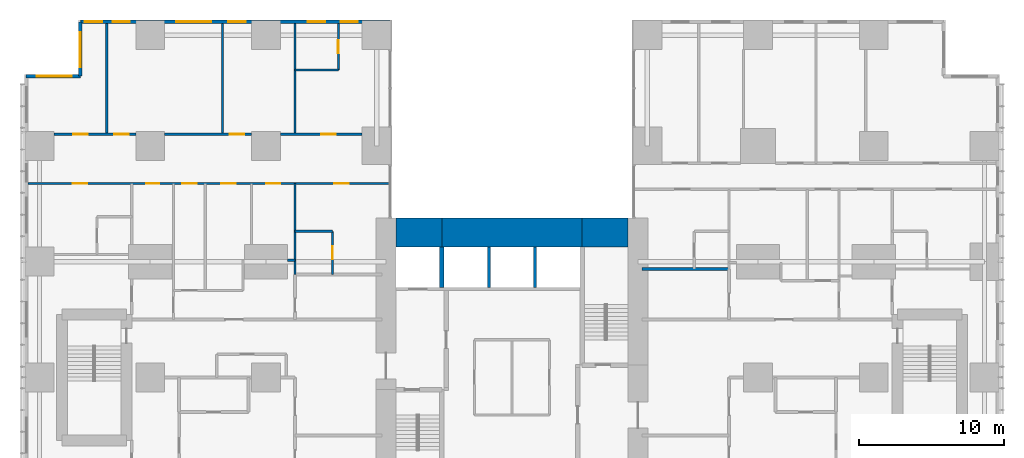
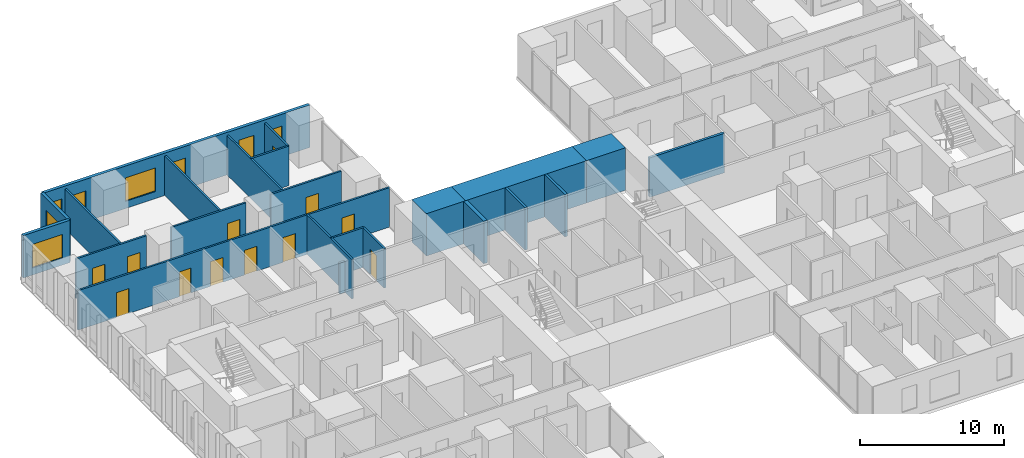
# One storey, part 17 of 20: 23 walls, 12 doors, 8 windows, 20 openings.
"""IFC4 building model written with IfcOpenShell, lengths in metres."""

from ifc_helpers import new_model, si_unit, direction, frame, frame_2d, origin, place, context, subcontext, project, spatial, rectangle, extrude, material, layer, layer_set, type_object, element, fill, save


model = new_model("IFC4")

# Units and contexts
model_context = context("Model", 3, precision=1e-05, world=origin(), true_north=direction((0.0, 1.0)))
body_context = subcontext(model_context, "Body", "Model", "MODEL_VIEW")
ifc_project = project(units=[si_unit("LENGTHUNIT", "METRE"), si_unit("AREAUNIT", "SQUARE_METRE"), si_unit("VOLUMEUNIT", "CUBIC_METRE"), si_unit("PLANEANGLEUNIT", "RADIAN"), si_unit("MASSUNIT", "GRAM", prefix="KILO")], contexts=[model_context])

# Site, building, storey
site_placement = place(None, origin())
site = spatial("IfcSite", under=ifc_project, at=site_placement, CompositionType="ELEMENT")
building_placement = place(site_placement, origin())
building = spatial("IfcBuilding", under=site, at=building_placement, Name="Cleftline Residences", CompositionType="ELEMENT")
storey_placement = place(building_placement, frame((0.0, 0.0, 54.800048828125)))
storey = spatial("IfcBuildingStorey", under=building, at=storey_placement, Name="L13", CompositionType="ELEMENT", Elevation=54.800048828125)

# Walls
ifc_material_1 = material(Name="Concrete B70", Category="concrete")
ifc_layer_1 = layer(ifc_material_1, 2.0)
ifc_layer_set_1 = layer_set([ifc_layer_1], Name="CORE WALL 2000")
wall_type_1 = type_object("IfcWallType", Name="CORE WALL 2000", PredefinedType="SHEAR", material=ifc_layer_set_1)
wall_1_placement = place(storey_placement, frame((25.0, 34.0, 0.0), z_axis=(0.0, 0.0, 1.0), x_axis=(1.0, 0.0, 0.0)))
element("IfcWall", 1, at=wall_1_placement, inside=storey, type_object=wall_type_1, Name="Core wall N1", PredefinedType="SHEAR", context=body_context, shape_type="SweptSolid", body=[
    extrude(rectangle(XDim=3.14990234375, YDim=2.0, at=frame_2d((1.574951171875, 0.0))), origin(), (0.0, 0.0, 1.0), 3.599853515625),
])
wall_2_placement = place(storey_placement, frame((28.14990234375, 34.0, 0.0), z_axis=(0.0, 0.0, 1.0), x_axis=(1.0, 0.0, 0.0)))
element("IfcWall", 2, at=wall_2_placement, inside=storey, type_object=wall_type_1, Name="Core wall N2", PredefinedType="SHEAR", context=body_context, shape_type="SweptSolid", body=[
    extrude(rectangle(XDim=9.7001953125, YDim=2.0, at=frame_2d((4.85009765625, 0.0))), origin(), (0.0, 0.0, 1.0), 3.599853515625),
])
wall_3_placement = place(storey_placement, frame((37.85009765625, 34.0, 0.0), z_axis=(0.0, 0.0, 1.0), x_axis=(1.0, 0.0, 0.0)))
element("IfcWall", 3, at=wall_3_placement, inside=storey, type_object=wall_type_1, Name="Core wall N3", PredefinedType="SHEAR", context=body_context, shape_type="SweptSolid", body=[
    extrude(rectangle(XDim=3.14990234375, YDim=2.0, at=frame_2d((1.574951171875, 0.0))), origin(), (0.0, 0.0, 1.0), 3.599853515625),
])
ifc_material_2 = material(Name="Concrete B70", Category="concrete")
ifc_layer_2 = layer(ifc_material_2, 0.300048828125)
ifc_layer_set_2 = layer_set([ifc_layer_2], Name="CORE WALL 300")
wall_type_2 = type_object("IfcWallType", Name="CORE WALL 300", PredefinedType="SHEAR", material=ifc_layer_set_2)
wall_4_placement = place(storey_placement, frame((28.14990234375, 30.199951171875, 0.0), z_axis=(0.0, 0.0, 1.0), x_axis=(0.0, 1.0, 0.0)))
element("IfcWall", 4, at=wall_4_placement, inside=storey, type_object=wall_type_2, Name="Lift shaft wall", PredefinedType="SHEAR", context=body_context, shape_type="SweptSolid", body=[
    extrude(rectangle(XDim=2.800048828125, YDim=0.300048828125, at=frame_2d((1.39990234375, 0.0))), origin(), (0.0, 0.0, 1.0), 3.599853515625),
])

# Wall, openings, windows
ifc_material_3 = material(Name="Rendered reinforced concrete blockwork", Category="masonry")
ifc_layer_3 = layer(ifc_material_3, 0.25)
ifc_layer_set_3 = layer_set([ifc_layer_3], Name="EXTERNAL WALL 250")
wall_type_3 = type_object("IfcWallType", Name="EXTERNAL WALL 250", PredefinedType="SOLIDWALL", material=ifc_layer_set_3)
wall_5_placement = place(storey_placement, frame((24.574951171875, 48.574951171875, 0.0), z_axis=(0.0, 0.0, 1.0), x_axis=(-1.0, 0.0, 0.0)))
wall_5 = element("IfcWall", 5, at=wall_5_placement, inside=storey, type_object=wall_type_3, Name="External wall", PredefinedType="SOLIDWALL", context=body_context, shape_type="SweptSolid", body=[
    extrude(rectangle(XDim=21.39990234375, YDim=0.25, at=frame_2d((10.699951171875, 0.0))), origin(), (0.0, 0.0, 1.0), 3.599853515625),
])
opening_1_placement = place(wall_5_placement, frame((2.22509765625, 0.0, 0.60009765625)))
opening_1 = element("IfcOpeningElement", 6, at=opening_1_placement, cuts=wall_5, Name="Opening W8", PredefinedType="OPENING", context=body_context, shape_type="SweptSolid", body=[
    extrude(rectangle(XDim=1.199951171875, YDim=2.0, at=frame_2d((0.60009765625, 1.0))), frame((0.0, 0.135009765625, 0.0), z_axis=(0.0, -1.0, 0.0), x_axis=(1.0, 0.0, 0.0)), (0.0, 0.0, 1.0), 0.27001953125),
])
opening_2_placement = place(wall_5_placement, frame((4.47509765625, 0.0, 0.60009765625)))
opening_2 = element("IfcOpeningElement", 7, at=opening_2_placement, cuts=wall_5, Name="Opening W8", PredefinedType="OPENING", context=body_context, shape_type="SweptSolid", body=[
    extrude(rectangle(XDim=1.199951171875, YDim=2.0, at=frame_2d((0.60009765625, 1.0))), frame((0.0, 0.135009765625, 0.0), z_axis=(0.0, -1.0, 0.0), x_axis=(1.0, 0.0, 0.0)), (0.0, 0.0, 1.0), 0.27001953125),
])
opening_3_placement = place(wall_5_placement, frame((9.97509765625, 0.0, 0.60009765625)))
opening_3 = element("IfcOpeningElement", 8, at=opening_3_placement, cuts=wall_5, Name="Opening W8", PredefinedType="OPENING", context=body_context, shape_type="SweptSolid", body=[
    extrude(rectangle(XDim=1.199951171875, YDim=2.0, at=frame_2d((0.60009765625, 1.0))), frame((0.0, 0.135009765625, 0.0), z_axis=(0.0, -1.0, 0.0), x_axis=(1.0, 0.0, 0.0)), (0.0, 0.0, 1.0), 0.27001953125),
])
opening_4_placement = place(wall_5_placement, frame((12.375, 0.0, 0.60009765625)))
opening_4 = element("IfcOpeningElement", 9, at=opening_4_placement, cuts=wall_5, Name="Opening W6", PredefinedType="OPENING", context=body_context, shape_type="SweptSolid", body=[
    extrude(rectangle(XDim=2.39990234375, YDim=2.0, at=frame_2d((1.199951171875, 1.0))), frame((0.0, 0.135009765625, 0.0), z_axis=(0.0, -1.0, 0.0), x_axis=(1.0, 0.0, 0.0)), (0.0, 0.0, 1.0), 0.27001953125),
])
opening_5_placement = place(wall_5_placement, frame((17.97509765625, 0.0, 0.60009765625)))
opening_5 = element("IfcOpeningElement", 10, at=opening_5_placement, cuts=wall_5, Name="Opening W8", PredefinedType="OPENING", context=body_context, shape_type="SweptSolid", body=[
    extrude(rectangle(XDim=1.199951171875, YDim=2.0, at=frame_2d((0.60009765625, 1.0))), frame((0.0, 0.135009765625, 0.0), z_axis=(0.0, -1.0, 0.0), x_axis=(1.0, 0.0, 0.0)), (0.0, 0.0, 1.0), 0.27001953125),
])
opening_6_placement = place(wall_5_placement, frame((19.89990234375, 0.0, 0.60009765625)))
opening_6 = element("IfcOpeningElement", 11, at=opening_6_placement, cuts=wall_5, Name="Opening W8", PredefinedType="OPENING", context=body_context, shape_type="SweptSolid", body=[
    extrude(rectangle(XDim=1.199951171875, YDim=2.0, at=frame_2d((0.60009765625, 1.0))), frame((0.0, 0.135009765625, 0.0), z_axis=(0.0, -1.0, 0.0), x_axis=(1.0, 0.0, 0.0)), (0.0, 0.0, 1.0), 0.27001953125),
])
ifc_material_4 = material(Name="Aluminium frame, clear double glazing", Category="aluminium")
window_type_1 = type_object("IfcWindowType", Name="WINDOW 1200X2000", PartitioningType="DOUBLE_PANEL_VERTICAL", PredefinedType="WINDOW", material=ifc_material_4)
window_1_placement = place(opening_1_placement, origin())
window_1 = element("IfcWindow", 12, at=window_1_placement, inside=storey, type_object=window_type_1, Name="Window", OverallHeight=2.0, OverallWidth=1.199951171875, PartitioningType="SINGLE_PANEL", PredefinedType="WINDOW", context=body_context, shape_type="SweptSolid", body=[
    extrude(rectangle(XDim=1.199951171875, YDim=2.0, at=frame_2d((0.60009765625, 1.0))), frame((0.0, 0.030029296875, 0.0), z_axis=(0.0, -1.0, 0.0), x_axis=(1.0, 0.0, 0.0)), (0.0, 0.0, 1.0), 0.06005859375),
])
fill(opening_1, window_1)
window_2_placement = place(opening_2_placement, origin())
window_2 = element("IfcWindow", 13, at=window_2_placement, inside=storey, type_object=window_type_1, Name="Window", OverallHeight=2.0, OverallWidth=1.199951171875, PartitioningType="SINGLE_PANEL", PredefinedType="WINDOW", context=body_context, shape_type="SweptSolid", body=[
    extrude(rectangle(XDim=1.199951171875, YDim=2.0, at=frame_2d((0.60009765625, 1.0))), frame((0.0, 0.030029296875, 0.0), z_axis=(0.0, -1.0, 0.0), x_axis=(1.0, 0.0, 0.0)), (0.0, 0.0, 1.0), 0.06005859375),
])
fill(opening_2, window_2)
window_3_placement = place(opening_3_placement, origin())
window_3 = element("IfcWindow", 14, at=window_3_placement, inside=storey, type_object=window_type_1, Name="Window", OverallHeight=2.0, OverallWidth=1.199951171875, PartitioningType="SINGLE_PANEL", PredefinedType="WINDOW", context=body_context, shape_type="SweptSolid", body=[
    extrude(rectangle(XDim=1.199951171875, YDim=2.0, at=frame_2d((0.60009765625, 1.0))), frame((0.0, 0.030029296875, 0.0), z_axis=(0.0, -1.0, 0.0), x_axis=(1.0, 0.0, 0.0)), (0.0, 0.0, 1.0), 0.06005859375),
])
fill(opening_3, window_3)
window_4_placement = place(opening_5_placement, origin())
window_4 = element("IfcWindow", 15, at=window_4_placement, inside=storey, type_object=window_type_1, Name="Window", OverallHeight=2.0, OverallWidth=1.199951171875, PartitioningType="SINGLE_PANEL", PredefinedType="WINDOW", context=body_context, shape_type="SweptSolid", body=[
    extrude(rectangle(XDim=1.199951171875, YDim=2.0, at=frame_2d((0.60009765625, 1.0))), frame((0.0, 0.030029296875, 0.0), z_axis=(0.0, -1.0, 0.0), x_axis=(1.0, 0.0, 0.0)), (0.0, 0.0, 1.0), 0.06005859375),
])
fill(opening_5, window_4)
window_5_placement = place(opening_6_placement, origin())
window_5 = element("IfcWindow", 16, at=window_5_placement, inside=storey, type_object=window_type_1, Name="Window", OverallHeight=2.0, OverallWidth=1.199951171875, PartitioningType="SINGLE_PANEL", PredefinedType="WINDOW", context=body_context, shape_type="SweptSolid", body=[
    extrude(rectangle(XDim=1.199951171875, YDim=2.0, at=frame_2d((0.60009765625, 1.0))), frame((0.0, 0.030029296875, 0.0), z_axis=(0.0, -1.0, 0.0), x_axis=(1.0, 0.0, 0.0)), (0.0, 0.0, 1.0), 0.06005859375),
])
fill(opening_6, window_5)
ifc_material_5 = material(Name="Aluminium frame, clear double glazing", Category="aluminium")
window_type_2 = type_object("IfcWindowType", Name="WINDOW 2400X2000", PartitioningType="DOUBLE_PANEL_VERTICAL", PredefinedType="WINDOW", material=ifc_material_5)
window_6_placement = place(opening_4_placement, origin())
window_6 = element("IfcWindow", 17, at=window_6_placement, inside=storey, type_object=window_type_2, Name="Window", OverallHeight=2.0, OverallWidth=2.39990234375, PartitioningType="SINGLE_PANEL", PredefinedType="WINDOW", context=body_context, shape_type="SweptSolid", body=[
    extrude(rectangle(XDim=2.39990234375, YDim=2.0, at=frame_2d((1.199951171875, 1.0))), frame((0.0, 0.030029296875, 0.0), z_axis=(0.0, -1.0, 0.0), x_axis=(1.0, 0.0, 0.0)), (0.0, 0.0, 1.0), 0.06005859375),
])
fill(opening_4, window_6)

# Wall, opening, window
wall_6_placement = place(storey_placement, frame((3.175048828125, 48.574951171875, 0.0), z_axis=(0.0, 0.0, 1.0), x_axis=(0.0, -1.0, 0.0)))
wall_6 = element("IfcWall", 18, at=wall_6_placement, inside=storey, type_object=wall_type_3, Name="External wall", PredefinedType="SOLIDWALL", context=body_context, shape_type="SweptSolid", body=[
    extrude(rectangle(XDim=3.75, YDim=0.25, at=frame_2d((1.875, 0.0))), origin(), (0.0, 0.0, 1.0), 3.599853515625),
])
opening_7_placement = place(wall_6_placement, frame((0.737548828125, 0.0, 0.60009765625)))
opening_7 = element("IfcOpeningElement", 19, at=opening_7_placement, cuts=wall_6, Name="Opening W6", PredefinedType="OPENING", context=body_context, shape_type="SweptSolid", body=[
    extrude(rectangle(XDim=2.39990234375, YDim=2.0, at=frame_2d((1.199951171875, 1.0))), frame((0.0, 0.135009765625, 0.0), z_axis=(0.0, -1.0, 0.0), x_axis=(1.0, 0.0, 0.0)), (0.0, 0.0, 1.0), 0.27001953125),
])
window_7_placement = place(opening_7_placement, origin())
window_7 = element("IfcWindow", 20, at=window_7_placement, inside=storey, type_object=window_type_2, Name="Window", OverallHeight=2.0, OverallWidth=2.39990234375, PartitioningType="SINGLE_PANEL", PredefinedType="WINDOW", context=body_context, shape_type="SweptSolid", body=[
    extrude(rectangle(XDim=2.39990234375, YDim=2.0, at=frame_2d((1.199951171875, 1.0))), frame((0.0, 0.030029296875, 0.0), z_axis=(0.0, -1.0, 0.0), x_axis=(1.0, 0.0, 0.0)), (0.0, 0.0, 1.0), 0.06005859375),
])
fill(opening_7, window_7)

wall_7_placement = place(storey_placement, frame((3.175048828125, 44.824951171875, 0.0), z_axis=(0.0, 0.0, 1.0), x_axis=(-1.0, 0.0, 0.0)))
wall_7 = element("IfcWall", 21, at=wall_7_placement, inside=storey, type_object=wall_type_3, Name="External wall", PredefinedType="SOLIDWALL", context=body_context, shape_type="SweptSolid", body=[
    extrude(rectangle(XDim=3.75, YDim=0.25, at=frame_2d((1.875, 0.0))), origin(), (0.0, 0.0, 1.0), 3.599853515625),
])
opening_8_placement = place(wall_7_placement, frame((0.612548828125, 0.0, 0.60009765625)))
opening_8 = element("IfcOpeningElement", 22, at=opening_8_placement, cuts=wall_7, Name="Opening W6", PredefinedType="OPENING", context=body_context, shape_type="SweptSolid", body=[
    extrude(rectangle(XDim=2.39990234375, YDim=2.0, at=frame_2d((1.199951171875, 1.0))), frame((0.0, 0.135009765625, 0.0), z_axis=(0.0, -1.0, 0.0), x_axis=(1.0, 0.0, 0.0)), (0.0, 0.0, 1.0), 0.27001953125),
])
window_8_placement = place(opening_8_placement, origin())
window_8 = element("IfcWindow", 23, at=window_8_placement, inside=storey, type_object=window_type_2, Name="Window", OverallHeight=2.0, OverallWidth=2.39990234375, PartitioningType="SINGLE_PANEL", PredefinedType="WINDOW", context=body_context, shape_type="SweptSolid", body=[
    extrude(rectangle(XDim=2.39990234375, YDim=2.0, at=frame_2d((1.199951171875, 1.0))), frame((0.0, 0.030029296875, 0.0), z_axis=(0.0, -1.0, 0.0), x_axis=(1.0, 0.0, 0.0)), (0.0, 0.0, 1.0), 0.06005859375),
])
fill(opening_8, window_8)

# Walls
ifc_material_6 = material(Name="Concrete blockwork, fire rated", Category="masonry")
ifc_layer_4 = layer(ifc_material_6, 0.199951171875)
ifc_layer_set_4 = layer_set([ifc_layer_4], Name="FIRE WALL 200")
wall_type_4 = type_object("IfcWallType", Name="FIRE WALL 200", PredefinedType="PARTITIONING", material=ifc_layer_set_4)
wall_8_placement = place(storey_placement, frame((42.0, 31.5, 0.0), z_axis=(0.0, 0.0, 1.0), x_axis=(1.0, 0.0, 0.0)))
element("IfcWall", 24, at=wall_8_placement, inside=storey, type_object=wall_type_4, Name="Fire separating wall", PredefinedType="PARTITIONING", context=body_context, shape_type="SweptSolid", body=[
    extrude(rectangle(XDim=6.0, YDim=0.199951171875, at=frame_2d((3.0, 0.0))), origin(), (0.0, 0.0, 1.0), 3.349853515625),
])
ifc_material_7 = material(Name="Gypsum board on steel studs", Category="steel")
ifc_layer_5 = layer(ifc_material_7, 0.14990234375)
ifc_layer_set_5 = layer_set([ifc_layer_5], Name="PARTITION 150")
wall_type_5 = type_object("IfcWallType", Name="PARTITION 150", PredefinedType="PARTITIONING", material=ifc_layer_set_5)
wall_9_placement = place(storey_placement, frame((17.5, 32.10009765625, 0.0), z_axis=(0.0, 0.0, 1.0), x_axis=(1.0, 0.0, 0.0)))
element("IfcWall", 25, at=wall_9_placement, inside=storey, type_object=wall_type_5, Name="Partition", PredefinedType="PARTITIONING", context=body_context, shape_type="SweptSolid", body=[
    extrude(rectangle(XDim=0.5, YDim=0.14990234375, at=frame_2d((0.25, 0.0))), origin(), (0.0, 0.0, 1.0), 2.634033203125),
])
wall_10_placement = place(storey_placement, frame((18.0, 34.10009765625, 0.0), z_axis=(0.0, 0.0, 1.0), x_axis=(1.0, 0.0, 0.0)))
element("IfcWall", 26, at=wall_10_placement, inside=storey, type_object=wall_type_5, Name="Partition", PredefinedType="PARTITIONING", context=body_context, shape_type="SweptSolid", body=[
    extrude(rectangle(XDim=2.60009765625, YDim=0.14990234375, at=frame_2d((1.300048828125, 0.0))), origin(), (0.0, 0.0, 1.0), 3.349853515625),
])

# Wall, openings, doors
wall_11_placement = place(storey_placement, frame((-0.449951171875, 37.39990234375, 0.0), z_axis=(0.0, 0.0, 1.0), x_axis=(1.0, 0.0, 0.0)))
wall_11 = element("IfcWall", 27, at=wall_11_placement, inside=storey, type_object=wall_type_5, Name="Partition", PredefinedType="PARTITIONING", context=body_context, shape_type="SweptSolid", body=[
    extrude(rectangle(XDim=25.010986328125, YDim=0.14990234375, at=frame_2d((12.50537109375, 0.0))), origin(), (0.0, 0.0, 1.0), 3.349853515625),
])
opening_9_placement = place(wall_11_placement, frame((10.64990234375, 0.0, 0.0)))
opening_9 = element("IfcOpeningElement", 28, at=opening_9_placement, cuts=wall_11, Name="Opening D2", PredefinedType="OPENING", context=body_context, shape_type="SweptSolid", body=[
    extrude(rectangle(XDim=1.0, YDim=2.10009765625, at=frame_2d((0.5, 1.050048828125))), frame((0.0, 0.0849609375, 0.0), z_axis=(0.0, -1.0, 0.0), x_axis=(1.0, 0.0, 0.0)), (0.0, 0.0, 1.0), 0.169921875),
])
opening_10_placement = place(wall_11_placement, frame((3.08740234375, 0.0, 0.0)))
opening_10 = element("IfcOpeningElement", 29, at=opening_10_placement, cuts=wall_11, Name="Opening D2", PredefinedType="OPENING", context=body_context, shape_type="SweptSolid", body=[
    extrude(rectangle(XDim=1.0, YDim=2.10009765625, at=frame_2d((0.5, 1.050048828125))), frame((0.0, 0.0849609375, 0.0), z_axis=(0.0, -1.0, 0.0), x_axis=(1.0, 0.0, 0.0)), (0.0, 0.0, 1.0), 0.169921875),
])
opening_11_placement = place(wall_11_placement, frame((8.16259765625, 0.0, 0.0)))
opening_11 = element("IfcOpeningElement", 30, at=opening_11_placement, cuts=wall_11, Name="Opening D1", PredefinedType="OPENING", context=body_context, shape_type="SweptSolid", body=[
    extrude(rectangle(XDim=0.89990234375, YDim=2.10009765625, at=frame_2d((0.449951171875, 1.050048828125))), frame((0.0, 0.0849609375, 0.0), z_axis=(0.0, -1.0, 0.0), x_axis=(1.0, 0.0, 0.0)), (0.0, 0.0, 1.0), 0.169921875),
])
opening_12_placement = place(wall_11_placement, frame((13.35009765625, 0.0, 0.0)))
opening_12 = element("IfcOpeningElement", 31, at=opening_12_placement, cuts=wall_11, Name="Opening D2", PredefinedType="OPENING", context=body_context, shape_type="SweptSolid", body=[
    extrude(rectangle(XDim=1.0, YDim=2.10009765625, at=frame_2d((0.5, 1.050048828125))), frame((0.0, 0.0849609375, 0.0), z_axis=(0.0, -1.0, 0.0), x_axis=(1.0, 0.0, 0.0)), (0.0, 0.0, 1.0), 0.169921875),
])
opening_13_placement = place(wall_11_placement, frame((16.449951171875, 0.0, 0.0)))
opening_13 = element("IfcOpeningElement", 32, at=opening_13_placement, cuts=wall_11, Name="Opening D2", PredefinedType="OPENING", context=body_context, shape_type="SweptSolid", body=[
    extrude(rectangle(XDim=1.0, YDim=2.10009765625, at=frame_2d((0.5, 1.050048828125))), frame((0.0, 0.0849609375, 0.0), z_axis=(0.0, -1.0, 0.0), x_axis=(1.0, 0.0, 0.0)), (0.0, 0.0, 1.0), 0.169921875),
])
opening_14_placement = place(wall_11_placement, frame((21.175048828125, 0.0, 0.0)))
opening_14 = element("IfcOpeningElement", 33, at=opening_14_placement, cuts=wall_11, Name="Opening D2", PredefinedType="OPENING", context=body_context, shape_type="SweptSolid", body=[
    extrude(rectangle(XDim=1.0, YDim=2.10009765625, at=frame_2d((0.5, 1.050048828125))), frame((0.0, 0.0849609375, 0.0), z_axis=(0.0, -1.0, 0.0), x_axis=(1.0, 0.0, 0.0)), (0.0, 0.0, 1.0), 0.169921875),
])
ifc_material_8 = material(Name="Timber veneer on solid core", Category="wood")
door_type_1 = type_object("IfcDoorType", Name="DOOR 1000X2100", OperationType="SINGLE_SWING_LEFT", PredefinedType="DOOR", material=ifc_material_8)
door_1_placement = place(opening_9_placement, origin())
door_1 = element("IfcDoor", 34, at=door_1_placement, inside=storey, type_object=door_type_1, Name="Door to residence hall", OperationType="SINGLE_SWING_RIGHT", OverallHeight=2.10009765625, OverallWidth=1.0, PredefinedType="DOOR", context=body_context, shape_type="SweptSolid", body=[
    extrude(rectangle(XDim=1.0, YDim=2.10009765625, at=frame_2d((0.5, 1.050048828125))), frame((0.0, 0.02490234375, 0.0), z_axis=(0.0, -1.0, 0.0), x_axis=(1.0, 0.0, 0.0)), (0.0, 0.0, 1.0), 0.050048828125),
])
fill(opening_9, door_1)
door_2_placement = place(opening_10_placement, origin())
door_2 = element("IfcDoor", 35, at=door_2_placement, inside=storey, type_object=door_type_1, Name="Door to bedroom 2", OperationType="SINGLE_SWING_RIGHT", OverallHeight=2.10009765625, OverallWidth=1.0, PredefinedType="DOOR", context=body_context, shape_type="SweptSolid", body=[
    extrude(rectangle(XDim=1.0, YDim=2.10009765625, at=frame_2d((0.5, 1.050048828125))), frame((0.0, 0.02490234375, 0.0), z_axis=(0.0, -1.0, 0.0), x_axis=(1.0, 0.0, 0.0)), (0.0, 0.0, 1.0), 0.050048828125),
])
fill(opening_10, door_2)
door_3_placement = place(opening_12_placement, origin())
door_3 = element("IfcDoor", 36, at=door_3_placement, inside=storey, type_object=door_type_1, Name="Door to family room", OperationType="SINGLE_SWING_LEFT", OverallHeight=2.10009765625, OverallWidth=1.0, PredefinedType="DOOR", context=body_context, shape_type="SweptSolid", body=[
    extrude(rectangle(XDim=1.0, YDim=2.10009765625, at=frame_2d((0.5, 1.050048828125))), frame((0.0, 0.02490234375, 0.0), z_axis=(0.0, -1.0, 0.0), x_axis=(1.0, 0.0, 0.0)), (0.0, 0.0, 1.0), 0.050048828125),
])
fill(opening_12, door_3)
door_4_placement = place(opening_13_placement, origin())
door_4 = element("IfcDoor", 37, at=door_4_placement, inside=storey, type_object=door_type_1, Name="Door to wet kitchen", OperationType="SINGLE_SWING_LEFT", OverallHeight=2.10009765625, OverallWidth=1.0, PredefinedType="DOOR", context=body_context, shape_type="SweptSolid", body=[
    extrude(rectangle(XDim=1.0, YDim=2.10009765625, at=frame_2d((0.5, 1.050048828125))), frame((0.0, 0.02490234375, 0.0), z_axis=(0.0, -1.0, 0.0), x_axis=(1.0, 0.0, 0.0)), (0.0, 0.0, 1.0), 0.050048828125),
])
fill(opening_13, door_4)
door_5_placement = place(opening_14_placement, origin())
door_5 = element("IfcDoor", 38, at=door_5_placement, inside=storey, type_object=door_type_1, Name="Door to bedroom 3", OperationType="SINGLE_SWING_LEFT", OverallHeight=2.10009765625, OverallWidth=1.0, PredefinedType="DOOR", context=body_context, shape_type="SweptSolid", body=[
    extrude(rectangle(XDim=1.0, YDim=2.10009765625, at=frame_2d((0.5, 1.050048828125))), frame((0.0, 0.02490234375, 0.0), z_axis=(0.0, -1.0, 0.0), x_axis=(1.0, 0.0, 0.0)), (0.0, 0.0, 1.0), 0.050048828125),
])
fill(opening_14, door_5)
ifc_material_9 = material(Name="Timber veneer on solid core", Category="wood")
door_type_2 = type_object("IfcDoorType", Name="DOOR 900X2100", OperationType="SINGLE_SWING_LEFT", PredefinedType="DOOR", material=ifc_material_9)
door_6_placement = place(opening_11_placement, origin())
door_6 = element("IfcDoor", 39, at=door_6_placement, inside=storey, type_object=door_type_2, Name="Door to linen store", OperationType="SINGLE_SWING_RIGHT", OverallHeight=2.10009765625, OverallWidth=0.89990234375, PredefinedType="DOOR", context=body_context, shape_type="SweptSolid", body=[
    extrude(rectangle(XDim=0.89990234375, YDim=2.10009765625, at=frame_2d((0.449951171875, 1.050048828125))), frame((0.0, 0.02490234375, 0.0), z_axis=(0.0, -1.0, 0.0), x_axis=(1.0, 0.0, 0.0)), (0.0, 0.0, 1.0), 0.050048828125),
])
fill(opening_11, door_6)

wall_12_placement = place(storey_placement, frame((1.35009765625, 40.800048828125, 0.0), z_axis=(0.0, 0.0, 1.0), x_axis=(1.0, 0.0, 0.0)))
wall_12 = element("IfcWall", 40, at=wall_12_placement, inside=storey, type_object=wall_type_5, Name="Partition", PredefinedType="PARTITIONING", context=body_context, shape_type="SweptSolid", body=[
    extrude(rectangle(XDim=5.64990234375, YDim=0.14990234375, at=frame_2d((2.824951171875, 0.0))), origin(), (0.0, 0.0, 1.0), 3.349853515625),
])
opening_15_placement = place(wall_12_placement, frame((1.324951171875, 0.0, 0.0)))
opening_15 = element("IfcOpeningElement", 41, at=opening_15_placement, cuts=wall_12, Name="Opening D2", PredefinedType="OPENING", context=body_context, shape_type="SweptSolid", body=[
    extrude(rectangle(XDim=1.0, YDim=2.10009765625, at=frame_2d((0.5, 1.050048828125))), frame((0.0, 0.0849609375, 0.0), z_axis=(0.0, -1.0, 0.0), x_axis=(1.0, 0.0, 0.0)), (0.0, 0.0, 1.0), 0.169921875),
])
opening_16_placement = place(wall_12_placement, frame((4.14990234375, 0.0, 0.0)))
opening_16 = element("IfcOpeningElement", 42, at=opening_16_placement, cuts=wall_12, Name="Opening D2", PredefinedType="OPENING", context=body_context, shape_type="SweptSolid", body=[
    extrude(rectangle(XDim=1.0, YDim=2.10009765625, at=frame_2d((0.5, 1.050048828125))), frame((0.0, 0.0849609375, 0.0), z_axis=(0.0, -1.0, 0.0), x_axis=(1.0, 0.0, 0.0)), (0.0, 0.0, 1.0), 0.169921875),
])
door_7_placement = place(opening_15_placement, origin())
door_7 = element("IfcDoor", 43, at=door_7_placement, inside=storey, type_object=door_type_1, Name="Door to winter garden", OperationType="SINGLE_SWING_RIGHT", OverallHeight=2.10009765625, OverallWidth=1.0, PredefinedType="DOOR", context=body_context, shape_type="SweptSolid", body=[
    extrude(rectangle(XDim=1.0, YDim=2.10009765625, at=frame_2d((0.5, 1.050048828125))), frame((0.0, 0.02490234375, 0.0), z_axis=(0.0, -1.0, 0.0), x_axis=(1.0, 0.0, 0.0)), (0.0, 0.0, 1.0), 0.050048828125),
])
fill(opening_15, door_7)
door_8_placement = place(opening_16_placement, origin())
door_8 = element("IfcDoor", 44, at=door_8_placement, inside=storey, type_object=door_type_1, Name="Door to living and dining room", OperationType="SINGLE_SWING_LEFT", OverallHeight=2.10009765625, OverallWidth=1.0, PredefinedType="DOOR", context=body_context, shape_type="SweptSolid", body=[
    extrude(rectangle(XDim=1.0, YDim=2.10009765625, at=frame_2d((0.5, 1.050048828125))), frame((0.0, 0.02490234375, 0.0), z_axis=(0.0, -1.0, 0.0), x_axis=(1.0, 0.0, 0.0)), (0.0, 0.0, 1.0), 0.050048828125),
])
fill(opening_16, door_8)

# Wall, opening, door
wall_13_placement = place(storey_placement, frame((9.0, 40.800048828125, 0.0), z_axis=(0.0, 0.0, 1.0), x_axis=(1.0, 0.0, 0.0)))
wall_13 = element("IfcWall", 45, at=wall_13_placement, inside=storey, type_object=wall_type_5, Name="Partition", PredefinedType="PARTITIONING", context=body_context, shape_type="SweptSolid", body=[
    extrude(rectangle(XDim=6.0, YDim=0.14990234375, at=frame_2d((3.0, 0.0))), origin(), (0.0, 0.0, 1.0), 3.349853515625),
])
opening_17_placement = place(wall_13_placement, frame((4.5, 0.0, 0.0)))
opening_17 = element("IfcOpeningElement", 46, at=opening_17_placement, cuts=wall_13, Name="Opening D2", PredefinedType="OPENING", context=body_context, shape_type="SweptSolid", body=[
    extrude(rectangle(XDim=1.0, YDim=2.10009765625, at=frame_2d((0.5, 1.050048828125))), frame((0.0, 0.0849609375, 0.0), z_axis=(0.0, -1.0, 0.0), x_axis=(1.0, 0.0, 0.0)), (0.0, 0.0, 1.0), 0.169921875),
])
door_9_placement = place(opening_17_placement, origin())
door_9 = element("IfcDoor", 47, at=door_9_placement, inside=storey, type_object=door_type_1, Name="Door to show kitchen", OperationType="SINGLE_SWING_LEFT", OverallHeight=2.10009765625, OverallWidth=1.0, PredefinedType="DOOR", context=body_context, shape_type="SweptSolid", body=[
    extrude(rectangle(XDim=1.0, YDim=2.10009765625, at=frame_2d((0.5, 1.050048828125))), frame((0.0, 0.02490234375, 0.0), z_axis=(0.0, -1.0, 0.0), x_axis=(1.0, 0.0, 0.0)), (0.0, 0.0, 1.0), 0.050048828125),
])
fill(opening_17, door_9)

wall_14_placement = place(storey_placement, frame((17.0, 40.800048828125, 0.0), z_axis=(0.0, 0.0, 1.0), x_axis=(1.0, 0.0, 0.0)))
wall_14 = element("IfcWall", 48, at=wall_14_placement, inside=storey, type_object=wall_type_5, Name="Partition", PredefinedType="PARTITIONING", context=body_context, shape_type="SweptSolid", body=[
    extrude(rectangle(XDim=5.64990234375, YDim=0.14990234375, at=frame_2d((2.824951171875, 0.0))), origin(), (0.0, 0.0, 1.0), 3.349853515625),
])
opening_18_placement = place(wall_14_placement, frame((2.824951171875, 0.0, 0.0)))
opening_18 = element("IfcOpeningElement", 49, at=opening_18_placement, cuts=wall_14, Name="Opening D2", PredefinedType="OPENING", context=body_context, shape_type="SweptSolid", body=[
    extrude(rectangle(XDim=1.0, YDim=2.10009765625, at=frame_2d((0.5, 1.050048828125))), frame((0.0, 0.0849609375, 0.0), z_axis=(0.0, -1.0, 0.0), x_axis=(1.0, 0.0, 0.0)), (0.0, 0.0, 1.0), 0.169921875),
])
door_10_placement = place(opening_18_placement, origin())
door_10 = element("IfcDoor", 50, at=door_10_placement, inside=storey, type_object=door_type_1, Name="Door to master bedroom", OperationType="SINGLE_SWING_LEFT", OverallHeight=2.10009765625, OverallWidth=1.0, PredefinedType="DOOR", context=body_context, shape_type="SweptSolid", body=[
    extrude(rectangle(XDim=1.0, YDim=2.10009765625, at=frame_2d((0.5, 1.050048828125))), frame((0.0, 0.02490234375, 0.0), z_axis=(0.0, -1.0, 0.0), x_axis=(1.0, 0.0, 0.0)), (0.0, 0.0, 1.0), 0.050048828125),
])
fill(opening_18, door_10)

# Walls
wall_15_placement = place(storey_placement, frame((18.0, 45.25, 0.0), z_axis=(0.0, 0.0, 1.0), x_axis=(1.0, 0.0, 0.0)))
element("IfcWall", 51, at=wall_15_placement, inside=storey, type_object=wall_type_5, Name="Partition", PredefinedType="PARTITIONING", context=body_context, shape_type="SweptSolid", body=[
    extrude(rectangle(XDim=3.0, YDim=0.14990234375, at=frame_2d((1.5, 0.0))), origin(), (0.0, 0.0, 1.0), 3.349853515625),
])
for number, where, z_axis, x_axis, name in (
    (52, (5.0, 40.800048828125, 0.0), (0.0, 0.0, 1.0), (0.0, 1.0, 0.0), "Partition"),
    (53, (13.0, 40.800048828125, 0.0), (0.0, 0.0, 1.0), (0.0, 1.0, 0.0), "Partition"),
):
    element("IfcWall", number, at=place(storey_placement, frame(where, z_axis=z_axis, x_axis=x_axis)), inside=storey, type_object=wall_type_5, Name=name, PredefinedType="PARTITIONING", context=body_context, shape_type="SweptSolid", body=[
        extrude(rectangle(XDim=7.64990234375, YDim=0.14990234375, at=frame_2d((3.824951171875, 0.0))), origin(), (0.0, 0.0, 1.0), 3.349853515625),
    ])
wall_16_placement = place(storey_placement, frame((18.0, 31.10009765625, 0.0), z_axis=(0.0, 0.0, 1.0), x_axis=(0.0, 1.0, 0.0)))
element("IfcWall", 54, at=wall_16_placement, inside=storey, type_object=wall_type_5, Name="Partition", PredefinedType="PARTITIONING", context=body_context, shape_type="SweptSolid", body=[
    extrude(rectangle(XDim=6.2998046875, YDim=0.14990234375, at=frame_2d((3.14990234375, 0.0))), origin(), (0.0, 0.0, 1.0), 3.349853515625),
])
wall_17_placement = place(storey_placement, frame((18.0, 40.800048828125, 0.0), z_axis=(0.0, 0.0, 1.0), x_axis=(0.0, 1.0, 0.0)))
element("IfcWall", 55, at=wall_17_placement, inside=storey, type_object=wall_type_5, Name="Partition", PredefinedType="PARTITIONING", context=body_context, shape_type="SweptSolid", body=[
    extrude(rectangle(XDim=7.64990234375, YDim=0.14990234375, at=frame_2d((3.824951171875, 0.0))), origin(), (0.0, 0.0, 1.0), 3.349853515625),
])

# Wall, opening, door
wall_18_placement = place(storey_placement, frame((20.60009765625, 31.10009765625, 0.0), z_axis=(0.0, 0.0, 1.0), x_axis=(0.0, 1.0, 0.0)))
wall_18 = element("IfcWall", 56, at=wall_18_placement, inside=storey, type_object=wall_type_5, Name="Partition", PredefinedType="PARTITIONING", context=body_context, shape_type="SweptSolid", body=[
    extrude(rectangle(XDim=3.0, YDim=0.14990234375, at=frame_2d((1.5, 0.0))), origin(), (0.0, 0.0, 1.0), 3.349853515625),
])
opening_19_placement = place(wall_18_placement, frame((1.050048828125, 0.0, 0.0)))
opening_19 = element("IfcOpeningElement", 57, at=opening_19_placement, cuts=wall_18, Name="Opening D1", PredefinedType="OPENING", context=body_context, shape_type="SweptSolid", body=[
    extrude(rectangle(XDim=0.89990234375, YDim=2.10009765625, at=frame_2d((0.449951171875, 1.050048828125))), frame((0.0, 0.0849609375, 0.0), z_axis=(0.0, -1.0, 0.0), x_axis=(1.0, 0.0, 0.0)), (0.0, 0.0, 1.0), 0.169921875),
])
door_11_placement = place(opening_19_placement, origin())
door_11 = element("IfcDoor", 58, at=door_11_placement, inside=storey, type_object=door_type_2, Name="Door to en-suite bathroom 3", OperationType="SINGLE_SWING_LEFT", OverallHeight=2.10009765625, OverallWidth=0.89990234375, PredefinedType="DOOR", context=body_context, shape_type="SweptSolid", body=[
    extrude(rectangle(XDim=0.89990234375, YDim=2.10009765625, at=frame_2d((0.449951171875, 1.050048828125))), frame((0.0, 0.02490234375, 0.0), z_axis=(0.0, -1.0, 0.0), x_axis=(1.0, 0.0, 0.0)), (0.0, 0.0, 1.0), 0.050048828125),
])
fill(opening_19, door_11)

wall_19_placement = place(storey_placement, frame((21.0, 45.25, 0.0), z_axis=(0.0, 0.0, 1.0), x_axis=(0.0, 1.0, 0.0)))
wall_19 = element("IfcWall", 59, at=wall_19_placement, inside=storey, type_object=wall_type_5, Name="Partition", PredefinedType="PARTITIONING", context=body_context, shape_type="SweptSolid", body=[
    extrude(rectangle(XDim=3.199951171875, YDim=0.14990234375, at=frame_2d((1.60009765625, 0.0))), origin(), (0.0, 0.0, 1.0), 3.349853515625),
])
opening_20_placement = place(wall_19_placement, frame((1.14990234375, 0.0, 0.0)))
opening_20 = element("IfcOpeningElement", 60, at=opening_20_placement, cuts=wall_19, Name="Opening D1", PredefinedType="OPENING", context=body_context, shape_type="SweptSolid", body=[
    extrude(rectangle(XDim=0.89990234375, YDim=2.10009765625, at=frame_2d((0.449951171875, 1.050048828125))), frame((0.0, 0.0849609375, 0.0), z_axis=(0.0, -1.0, 0.0), x_axis=(1.0, 0.0, 0.0)), (0.0, 0.0, 1.0), 0.169921875),
])
door_12_placement = place(opening_20_placement, origin())
door_12 = element("IfcDoor", 61, at=door_12_placement, inside=storey, type_object=door_type_2, Name="Door to master bathroom", OperationType="SINGLE_SWING_LEFT", OverallHeight=2.10009765625, OverallWidth=0.89990234375, PredefinedType="DOOR", context=body_context, shape_type="SweptSolid", body=[
    extrude(rectangle(XDim=0.89990234375, YDim=2.10009765625, at=frame_2d((0.449951171875, 1.050048828125))), frame((0.0, 0.02490234375, 0.0), z_axis=(0.0, -1.0, 0.0), x_axis=(1.0, 0.0, 0.0)), (0.0, 0.0, 1.0), 0.050048828125),
])
fill(opening_20, door_12)

# Walls
ifc_material_10 = material(Name="Concrete blockwork, fire rated", Category="masonry")
ifc_layer_6 = layer(ifc_material_10, 0.199951171875)
ifc_layer_set_6 = layer_set([ifc_layer_6], Name="SHAFT WALL 200")
wall_type_6 = type_object("IfcWallType", Name="SHAFT WALL 200", PredefinedType="PARTITIONING", material=ifc_layer_set_6)
for number, where, z_axis, x_axis, name in (
    (62, (31.39990234375, 30.199951171875, 0.0), (0.0, 0.0, 1.0), (0.0, 1.0, 0.0), "Lift shaft wall"),
    (63, (34.60009765625, 30.199951171875, 0.0), (0.0, 0.0, 1.0), (0.0, 1.0, 0.0), "Lift shaft wall"),
):
    element("IfcWall", number, at=place(storey_placement, frame(where, z_axis=z_axis, x_axis=x_axis)), inside=storey, type_object=wall_type_6, Name=name, PredefinedType="PARTITIONING", context=body_context, shape_type="SweptSolid", body=[
        extrude(rectangle(XDim=2.800048828125, YDim=0.199951171875, at=frame_2d((1.39990234375, 0.0))), origin(), (0.0, 0.0, 1.0), 3.599853515625),
    ])

save(model, "model.ifc")
